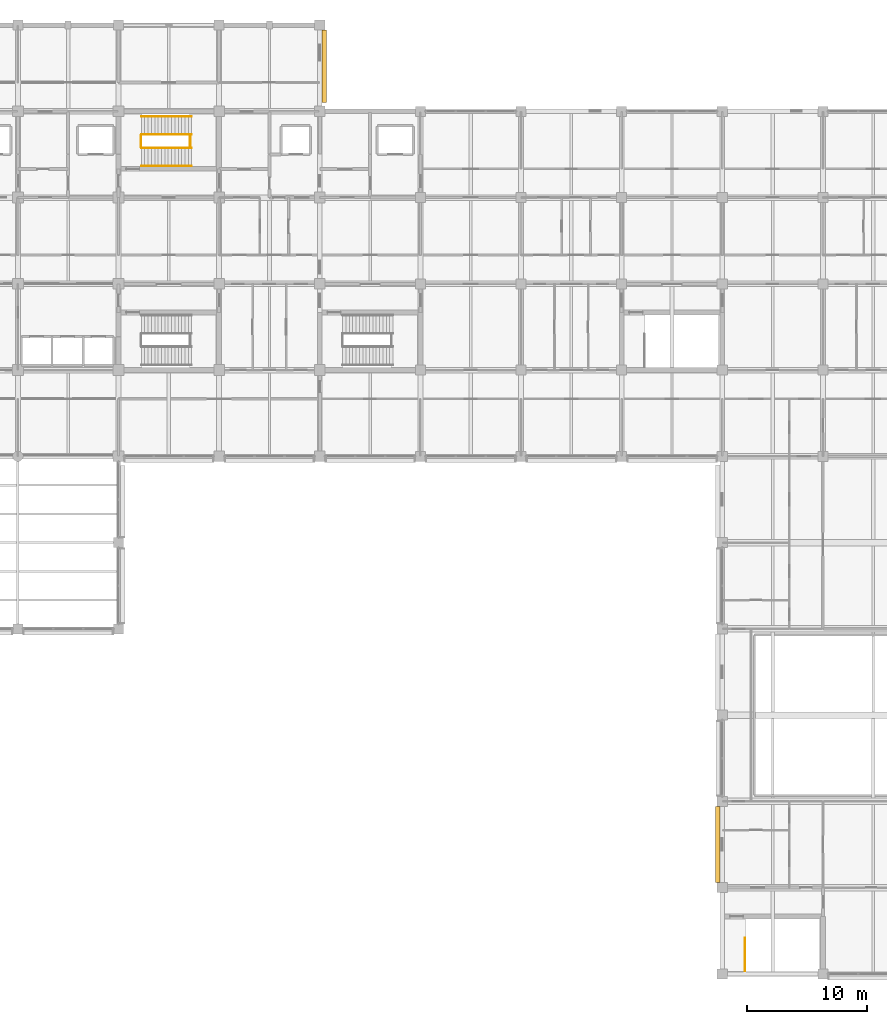
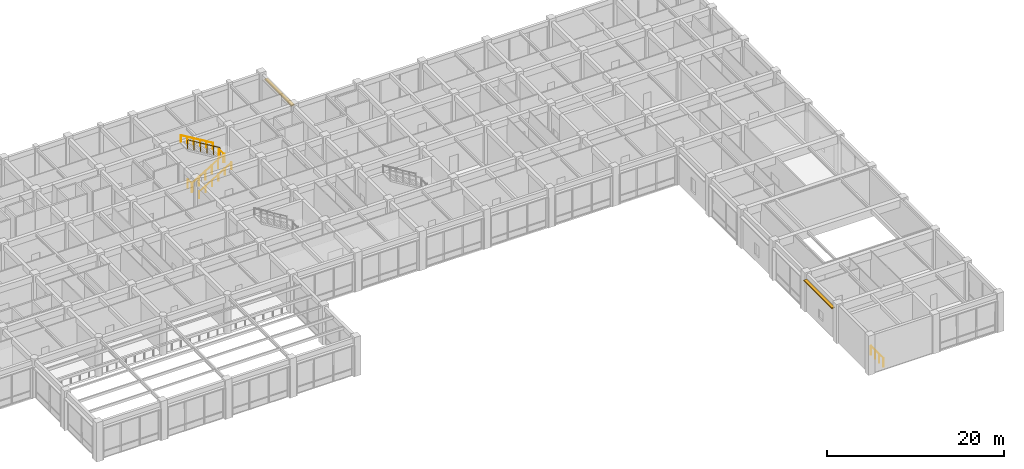
# One storey, part 56 of 58: 7 railings, 2 shading devices.
"""IFC4 building model written with IfcOpenShell, lengths in metres."""

from ifc_helpers import new_model, si_unit, direction, frame, origin, origin_2d, place, context, subcontext, project, spatial, rectangle, circle, extrude, material, type_object, element, save


model = new_model("IFC4")

# Units and contexts
model_context = context("Model", 3, precision=1e-05, world=origin(), true_north=direction((0.0, 1.0)))
body_context = subcontext(model_context, "Body", "Model", "MODEL_VIEW")
ifc_project = project(units=[si_unit("LENGTHUNIT", "METRE"), si_unit("AREAUNIT", "SQUARE_METRE"), si_unit("VOLUMEUNIT", "CUBIC_METRE"), si_unit("PLANEANGLEUNIT", "RADIAN"), si_unit("MASSUNIT", "GRAM", prefix="KILO")], contexts=[model_context])

# Site, building, storey
site_placement = place(None, origin())
site = spatial("IfcSite", under=ifc_project, at=site_placement, CompositionType="ELEMENT")
building_placement = place(site_placement, origin())
building = spatial("IfcBuilding", under=site, at=building_placement, Name="Chengyuan Square Courthouse", CompositionType="ELEMENT")
storey_placement = place(building_placement, frame((0.0, 0.0, 16.199951171875)))
storey = spatial("IfcBuildingStorey", under=building, at=storey_placement, Name="L04", CompositionType="ELEMENT", Elevation=16.199951171875)

# Railings
ifc_material_1 = material(Name="Tempered Glass and Timber Top-Rail Balustrade", Category="wood")
railing_type_1 = type_object("IfcRailingType", Name="RL-02", PredefinedType="BALUSTRADE", material=ifc_material_1)
for number, where, name in (
    (1, (102.68994140625, 105.0, 0.0), "Stair Floor Slot Guard ST-2 L04"),
    (2, (106.7900390625, 105.0, 2.699951171875), "Stair Landing Guard ST-2-L04"),
):
    element("IfcRailing", number, at=place(storey_placement, frame(where)), inside=storey, type_object=railing_type_1, Name=name, PredefinedType="BALUSTRADE", context=body_context, shape_type="SweptSolid", body=[
        extrude(circle(Radius=0.02392578125, at=origin_2d()), frame((0.0, 0.0, 1.17578125), z_axis=(0.0, 1.0, 0.0), x_axis=(-1.0, 0.0, 0.0)), (0.0, 0.0, 1.0), 1.0),
        extrude(circle(Radius=0.02099609375, at=origin_2d()), origin(), (0.0, 0.0, 1.0), 1.15185546875),
        extrude(circle(Radius=0.02099609375, at=origin_2d()), frame((0.0, 1.0, 0.0)), (0.0, 0.0, 1.0), 1.15185546875),
    ])
railing_1_placement = place(storey_placement, frame((102.7099609375, 104.949951171875, 0.168701171875)))
element("IfcRailing", 3, at=railing_1_placement, inside=storey, type_object=railing_type_1, Name="Stair Flight 1 Guard ST-2-L04", PredefinedType="BALUSTRADE", context=body_context, shape_type="SweptSolid", body=[
    extrude(circle(Radius=0.02392578125, at=origin_2d()), frame((0.0, 0.0, 1.17578125), z_axis=(0.856476492594, 0.0, 0.516186030065), x_axis=(0.0, 1.0, 0.0)), (0.0, 0.0, 1.0), 4.90380859375),
    extrude(circle(Radius=0.02099609375, at=origin_2d()), origin(), (0.0, 0.0, 1.0), 1.15185546875),
    extrude(circle(Radius=0.02099609375, at=origin_2d()), frame((0.840087890625, 0.0, 0.50634765625)), (0.0, 0.0, 1.0), 1.15185546875),
    extrude(circle(Radius=0.02099609375, at=origin_2d()), frame((1.679931640625, 0.0, 1.012451171875)), (0.0, 0.0, 1.0), 1.15185546875),
    extrude(circle(Radius=0.02099609375, at=origin_2d()), frame((2.52001953125, 0.0, 1.518798828125)), (0.0, 0.0, 1.0), 1.15185546875),
    extrude(circle(Radius=0.02099609375, at=origin_2d()), frame((3.35986328125, 0.0, 2.02490234375)), (0.0, 0.0, 1.0), 1.15185546875),
    extrude(circle(Radius=0.02099609375, at=origin_2d()), frame((4.199951171875, 0.0, 2.53125)), (0.0, 0.0, 1.0), 1.15185546875),
])
railing_2_placement = place(storey_placement, frame((106.909912109375, 106.050048828125, 2.86865234375)))
element("IfcRailing", 4, at=railing_2_placement, inside=storey, type_object=railing_type_1, Name="Stair Flight 2 Guard ST-2-L04", PredefinedType="BALUSTRADE", context=body_context, shape_type="SweptSolid", body=[
    extrude(circle(Radius=0.02392578125, at=origin_2d()), frame((0.0, 0.0, 1.17578125), z_axis=(-0.856454481726, 0.0, 0.516222549615), x_axis=(0.0, -1.0, 0.0)), (0.0, 0.0, 1.0), 4.90380859375),
    extrude(circle(Radius=0.02099609375, at=origin_2d()), origin(), (0.0, 0.0, 1.0), 1.15185546875),
    extrude(circle(Radius=0.02099609375, at=origin_2d()), frame((-0.840087890625, 0.0, 0.50634765625)), (0.0, 0.0, 1.0), 1.15185546875),
    extrude(circle(Radius=0.02099609375, at=origin_2d()), frame((-1.679931640625, 0.0, 1.0126953125)), (0.0, 0.0, 1.0), 1.15185546875),
    extrude(circle(Radius=0.02099609375, at=origin_2d()), frame((-2.52001953125, 0.0, 1.518798828125)), (0.0, 0.0, 1.0), 1.15185546875),
    extrude(circle(Radius=0.02099609375, at=origin_2d()), frame((-3.35986328125, 0.0, 2.025146484375)), (0.0, 0.0, 1.0), 1.15185546875),
    extrude(circle(Radius=0.02099609375, at=origin_2d()), frame((-4.199951171875, 0.0, 2.531494140625)), (0.0, 0.0, 1.0), 1.15185546875),
])
railing_3_placement = place(storey_placement, frame((153.090087890625, 36.25, 0.0)))
element("IfcRailing", 5, at=railing_3_placement, inside=storey, type_object=railing_type_1, Name="Stair Top Landing Guard ST-8 L04", PredefinedType="BALUSTRADE", context=body_context, shape_type="SweptSolid", body=[
    extrude(circle(Radius=0.02392578125, at=origin_2d()), frame((0.0, 0.0, 1.17578125), z_axis=(0.0, 1.0, 0.0), x_axis=(-1.0, 0.0, 0.0)), (0.0, 0.0, 1.0), 2.75),
    extrude(circle(Radius=0.02099609375, at=origin_2d()), origin(), (0.0, 0.0, 1.0), 1.15185546875),
    extrude(circle(Radius=0.02099609375, at=origin_2d()), frame((0.0, 0.916748046875, 0.0)), (0.0, 0.0, 1.0), 1.15185546875),
    extrude(circle(Radius=0.02099609375, at=origin_2d()), frame((0.0, 1.833251953125, 0.0)), (0.0, 0.0, 1.0), 1.15185546875),
    extrude(circle(Radius=0.02099609375, at=origin_2d()), frame((0.0, 2.75, 0.0)), (0.0, 0.0, 1.0), 1.15185546875),
])
ifc_material_2 = material(Name="Stainless Steel S30408 Stair Handrail", Category="steel")
railing_type_2 = type_object("IfcRailingType", Name="RL-04", PredefinedType="HANDRAIL", material=ifc_material_2)
railing_4_placement = place(storey_placement, frame((102.7099609375, 103.419921875, 0.168701171875)))
element("IfcRailing", 6, at=railing_4_placement, inside=storey, type_object=railing_type_2, Name="Stair Flight 1 Handrail ST-2-L04", PredefinedType="HANDRAIL", context=body_context, shape_type="SweptSolid", body=[
    extrude(circle(Radius=0.02392578125, at=origin_2d()), frame((0.0, 0.0, 0.8759765625), z_axis=(0.856476492594, 0.0, 0.516186030065), x_axis=(0.0, 1.0, 0.0)), (0.0, 0.0, 1.0), 4.90380859375),
    extrude(circle(Radius=0.02099609375, at=origin_2d()), origin(), (0.0, 0.0, 1.0), 0.851806640625),
    extrude(circle(Radius=0.02099609375, at=origin_2d()), frame((0.840087890625, 0.0, 0.50634765625)), (0.0, 0.0, 1.0), 0.851806640625),
    extrude(circle(Radius=0.02099609375, at=origin_2d()), frame((1.679931640625, 0.0, 1.012451171875)), (0.0, 0.0, 1.0), 0.851806640625),
    extrude(circle(Radius=0.02099609375, at=origin_2d()), frame((2.52001953125, 0.0, 1.518798828125)), (0.0, 0.0, 1.0), 0.851806640625),
    extrude(circle(Radius=0.02099609375, at=origin_2d()), frame((3.35986328125, 0.0, 2.02490234375)), (0.0, 0.0, 1.0), 0.851806640625),
    extrude(circle(Radius=0.02099609375, at=origin_2d()), frame((4.199951171875, 0.0, 2.53125)), (0.0, 0.0, 1.0), 0.851806640625),
])
railing_5_placement = place(storey_placement, frame((106.909912109375, 107.580078125, 2.86865234375)))
element("IfcRailing", 7, at=railing_5_placement, inside=storey, type_object=railing_type_2, Name="Stair Flight 2 Handrail ST-2-L04", PredefinedType="HANDRAIL", context=body_context, shape_type="SweptSolid", body=[
    extrude(circle(Radius=0.02392578125, at=origin_2d()), frame((0.0, 0.0, 0.8759765625), z_axis=(-0.856454481726, 0.0, 0.516222549615), x_axis=(0.0, -1.0, 0.0)), (0.0, 0.0, 1.0), 4.90380859375),
    extrude(circle(Radius=0.02099609375, at=origin_2d()), origin(), (0.0, 0.0, 1.0), 0.851806640625),
    extrude(circle(Radius=0.02099609375, at=origin_2d()), frame((-0.840087890625, 0.0, 0.50634765625)), (0.0, 0.0, 1.0), 0.851806640625),
    extrude(circle(Radius=0.02099609375, at=origin_2d()), frame((-1.679931640625, 0.0, 1.0126953125)), (0.0, 0.0, 1.0), 0.851806640625),
    extrude(circle(Radius=0.02099609375, at=origin_2d()), frame((-2.52001953125, 0.0, 1.518798828125)), (0.0, 0.0, 1.0), 0.851806640625),
    extrude(circle(Radius=0.02099609375, at=origin_2d()), frame((-3.35986328125, 0.0, 2.025146484375)), (0.0, 0.0, 1.0), 0.851806640625),
    extrude(circle(Radius=0.02099609375, at=origin_2d()), frame((-4.199951171875, 0.0, 2.531494140625)), (0.0, 0.0, 1.0), 0.851806640625),
])

# Shading devices
ifc_material_3 = material(Name="Glulam TCt28 Facade Sunshade", Category="wood")
shading_device_type = type_object("IfcShadingDeviceType", Name="SHD-03", PredefinedType="AWNING", material=ifc_material_3)
shading_device_1_placement = place(storey_placement, frame((117.98193359375, 111.762451171875, 4.2802734375), z_axis=(0.0, 0.0, 1.0), x_axis=(0.0, 1.0, 0.0)))
element("IfcShadingDevice", 8, at=shading_device_1_placement, inside=storey, type_object=shading_device_type, Name="Glulam Facade Sunshade SHD-L04-0482", PredefinedType="AWNING", context=body_context, shape_type="SweptSolid", body=[
    extrude(rectangle(XDim=6.034912109375, YDim=0.39990234375, at=origin_2d()), origin(), (0.0, 0.0, 1.0), 0.139892578125),
])
shading_device_2_placement = place(storey_placement, frame((150.818115234375, 46.800048828125, 4.35986328125), z_axis=(0.0, 0.0, 1.0), x_axis=(0.0, 1.0, 0.0)))
element("IfcShadingDevice", 9, at=shading_device_2_placement, inside=storey, type_object=shading_device_type, Name="Glulam Facade Sunshade SHD-L04-0495", PredefinedType="AWNING", context=body_context, shape_type="SweptSolid", body=[
    extrude(rectangle(XDim=6.360107421875, YDim=0.39990234375, at=origin_2d()), origin(), (0.0, 0.0, 1.0), 0.139892578125),
])

save(model, "model.ifc")
